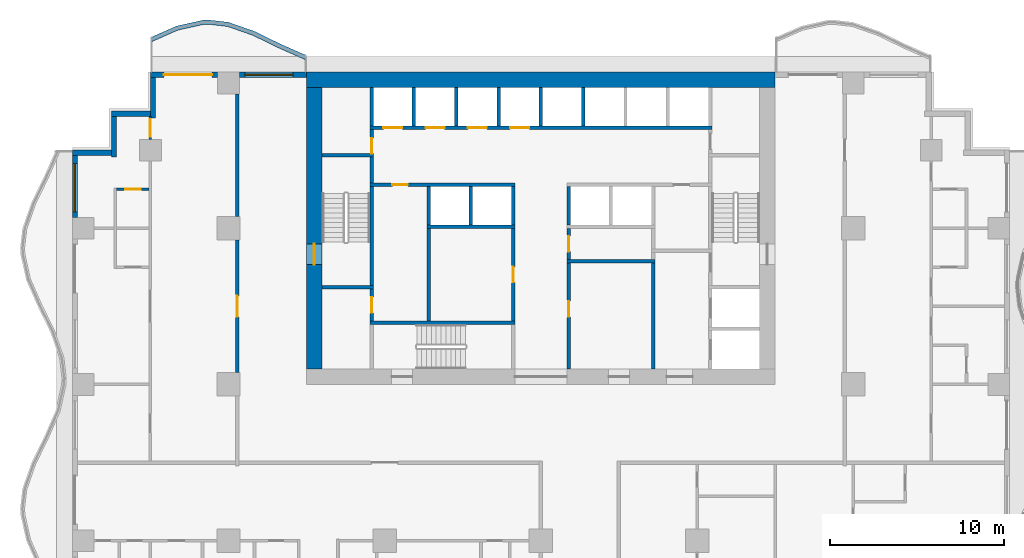
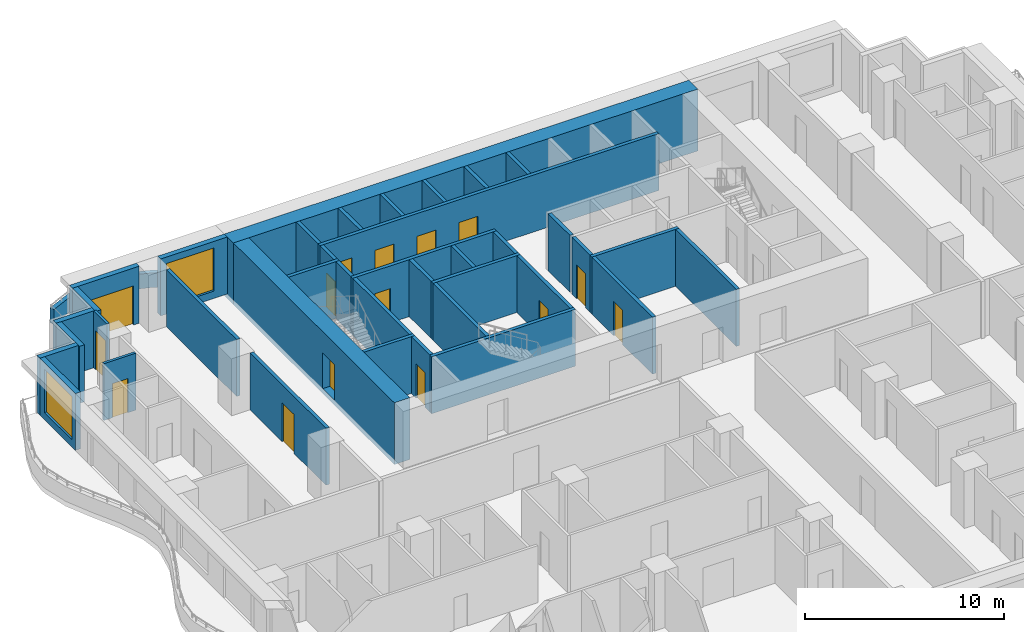
# One storey, part 5 of 14: 40 walls, 15 doors, 2 windows, 17 openings.
"""IFC4 building model written with IfcOpenShell, lengths in metres."""

from ifc_helpers import new_model, si_unit, direction, frame, frame_2d, origin, place, context, subcontext, project, spatial, polyline, rectangle, outline, extrude, material, layer, layer_set, type_object, element, fill, save


model = new_model("IFC4")

# Units and contexts
model_context = context("Model", 3, precision=1e-05, world=origin(), true_north=direction((0.0, 1.0)))
body_context = subcontext(model_context, "Body", "Model", "MODEL_VIEW")
ifc_project = project(units=[si_unit("LENGTHUNIT", "METRE"), si_unit("AREAUNIT", "SQUARE_METRE"), si_unit("VOLUMEUNIT", "CUBIC_METRE"), si_unit("PLANEANGLEUNIT", "RADIAN"), si_unit("MASSUNIT", "GRAM", prefix="KILO")], contexts=[model_context])

# Site, building, storey
site_placement = place(None, origin())
site = spatial("IfcSite", under=ifc_project, at=site_placement, CompositionType="ELEMENT")
building_placement = place(site_placement, origin())
building = spatial("IfcBuilding", under=site, at=building_placement, Name="Orbiselva Terraces", CompositionType="ELEMENT")
storey_placement = place(building_placement, frame((0.0, 0.0, 103.6)))
storey = spatial("IfcBuildingStorey", under=building, at=storey_placement, Name="L26", CompositionType="ELEMENT", Elevation=103.6)

# Wall, opening, door
ifc_material_1 = material(Name="Concrete C80/95", Category="concrete")
ifc_layer_1 = layer(ifc_material_1, 0.9)
ifc_layer_set_1 = layer_set([ifc_layer_1], Name="Concrete C80/95")
wall_type_1 = type_object("IfcWallType", Name="CORE WALL 900", PredefinedType="SHEAR", material=ifc_layer_set_1)
wall_1_placement = place(storey_placement, frame((-13.05, 21.6, -0.3), z_axis=(0.0, 0.0, 1.0), x_axis=(0.0, -1.0, 0.0)))
wall_1 = element("IfcWall", 1, at=wall_1_placement, inside=storey, type_object=wall_type_1, Name="Core wall L26 west", PredefinedType="SHEAR", context=body_context, shape_type="SweptSolid", body=[
    extrude(rectangle(XDim=16.2, YDim=0.9, at=frame_2d((8.1, 0.0))), origin(), (0.0, 0.0, 1.0), 3.8),
])
opening_1_placement = place(wall_1_placement, frame((9.0, 0.0, 0.3)))
opening_1 = element("IfcOpeningElement", 2, at=opening_1_placement, cuts=wall_1, Name="Opening DS1200", PredefinedType="OPENING", context=body_context, shape_type="SweptSolid", body=[
    extrude(rectangle(XDim=1.2, YDim=2.2, at=frame_2d((0.6, 1.1))), frame((0.0, 0.46, 0.0), z_axis=(0.0, -1.0, 0.0), x_axis=(1.0, 0.0, 0.0)), (0.0, 0.0, 1.0), 0.92),
])
ifc_material_2 = material(Name="Steel fire door", Category="steel")
door_type_1 = type_object("IfcDoorType", Name="STAIR DOOR 1200", OperationType="NOTDEFINED", PredefinedType="DOOR", material=ifc_material_2)
door_1_placement = place(opening_1_placement, frame((1.2, 0.0, 0.0), z_axis=(0.0, 0.0, 1.0), x_axis=(-1.0, 0.0, 0.0)))
door_1 = element("IfcDoor", 3, at=door_1_placement, inside=storey, type_object=door_type_1, Name="L26 EXIT STAIR S1 door", OperationType="SINGLE_SWING_RIGHT", OverallHeight=2.2, OverallWidth=1.2, PredefinedType="DOOR", context=body_context, shape_type="SweptSolid", body=[
    extrude(rectangle(XDim=1.2, YDim=2.2, at=frame_2d((0.6, 1.1))), frame((0.0, 0.025, 0.0), z_axis=(0.0, -1.0, 0.0), x_axis=(1.0, 0.0, 0.0)), (0.0, 0.0, 1.0), 0.05),
])
fill(opening_1, door_1)

# Wall
ifc_layer_2 = layer(ifc_material_1, 0.9)
ifc_layer_set_2 = layer_set([ifc_layer_2], Name="Concrete C80/95")
wall_type_2 = type_object("IfcWallType", Name="CORE WALL 900 EXTERNAL", PredefinedType="SHEAR", material=ifc_layer_set_2)
wall_2_placement = place(storey_placement, frame((13.5, 22.05, -0.3), z_axis=(0.0, 0.0, 1.0), x_axis=(-1.0, 0.0, 0.0)))
element("IfcWall", 4, at=wall_2_placement, inside=storey, type_object=wall_type_2, Name="Core wall L26 north", PredefinedType="SHEAR", context=body_context, shape_type="SweptSolid", body=[
    extrude(rectangle(XDim=27.0, YDim=0.9, at=frame_2d((13.5, 0.0))), origin(), (0.0, 0.0, 1.0), 3.8),
])

# Wall, opening, door
ifc_material_3 = material(Name="Masonry blockwork", Category="masonry")
ifc_layer_3 = layer(ifc_material_3, 0.2)
ifc_layer_set_3 = layer_set([ifc_layer_3], Name="Masonry blockwork")
wall_type_3 = type_object("IfcWallType", Name="CORE-WALL-PARTITION-200", PredefinedType="PARTITIONING", material=ifc_layer_set_3)
wall_3_placement = place(storey_placement, frame((-9.75, 8.15, 0.0), z_axis=(0.0, 0.0, 1.0), x_axis=(0.0, 1.0, 0.0)))
wall_3 = element("IfcWall", 5, at=wall_3_placement, inside=storey, type_object=wall_type_3, Name="L26 core wall 05", PredefinedType="PARTITIONING", context=body_context, shape_type="SweptSolid", body=[
    extrude(rectangle(XDim=1.85, YDim=0.2, at=frame_2d((0.925, 0.0))), origin(), (0.0, 0.0, 1.0), 3.5),
])
opening_2_placement = place(wall_3_placement, frame((0.475, 0.0, 0.0)))
opening_2 = element("IfcOpeningElement", 6, at=opening_2_placement, cuts=wall_3, Name="Opening DR900", PredefinedType="OPENING", context=body_context, shape_type="SweptSolid", body=[
    extrude(rectangle(XDim=0.9, YDim=2.1, at=frame_2d((0.45, 1.05))), frame((0.0, 0.11, 0.0), z_axis=(0.0, -1.0, 0.0), x_axis=(1.0, 0.0, 0.0)), (0.0, 0.0, 1.0), 0.22),
])
door_type_2 = type_object("IfcDoorType", Name="ROOM DOOR 900", OperationType="NOTDEFINED", PredefinedType="DOOR", material=ifc_material_2)
door_2_placement = place(opening_2_placement, origin())
door_2 = element("IfcDoor", 7, at=door_2_placement, inside=storey, type_object=door_type_2, Name="L26 STAFF WC door", OperationType="SINGLE_SWING_RIGHT", OverallHeight=2.1, OverallWidth=0.9, PredefinedType="DOOR", context=body_context, shape_type="SweptSolid", body=[
    extrude(rectangle(XDim=0.9, YDim=2.1, at=frame_2d((0.45, 1.05))), frame((0.0, 0.025, 0.0), z_axis=(0.0, -1.0, 0.0), x_axis=(1.0, 0.0, 0.0)), (0.0, 0.0, 1.0), 0.05),
])
fill(opening_2, door_2)

wall_4_placement = place(storey_placement, frame((-9.75, 17.8, 0.0), z_axis=(0.0, 0.0, 1.0), x_axis=(0.0, 1.0, 0.0)))
wall_4 = element("IfcWall", 8, at=wall_4_placement, inside=storey, type_object=wall_type_3, Name="L26 core wall 09", PredefinedType="PARTITIONING", context=body_context, shape_type="SweptSolid", body=[
    extrude(rectangle(XDim=1.4, YDim=0.2, at=frame_2d((0.7, 0.0))), origin(), (0.0, 0.0, 1.0), 3.5),
])
opening_3_placement = place(wall_4_placement, origin())
opening_3 = element("IfcOpeningElement", 9, at=opening_3_placement, cuts=wall_4, Name="Opening DR900", PredefinedType="OPENING", context=body_context, shape_type="SweptSolid", body=[
    extrude(rectangle(XDim=0.9, YDim=2.1, at=frame_2d((0.45, 1.05))), frame((0.0, 0.11, 0.0), z_axis=(0.0, -1.0, 0.0), x_axis=(1.0, 0.0, 0.0)), (0.0, 0.0, 1.0), 0.22),
])
door_3_placement = place(opening_3_placement, origin())
door_3 = element("IfcDoor", 10, at=door_3_placement, inside=storey, type_object=door_type_2, Name="L26 ELECTRICAL RISER ROOM door", OperationType="SINGLE_SWING_LEFT", OverallHeight=2.1, OverallWidth=0.9, PredefinedType="DOOR", context=body_context, shape_type="SweptSolid", body=[
    extrude(rectangle(XDim=0.9, YDim=2.1, at=frame_2d((0.45, 1.05))), frame((0.0, 0.025, 0.0), z_axis=(0.0, -1.0, 0.0), x_axis=(1.0, 0.0, 0.0)), (0.0, 0.0, 1.0), 0.05),
])
fill(opening_3, door_3)

# Wall
wall_5_placement = place(storey_placement, frame((-6.475, 8.15, 0.0), z_axis=(0.0, 0.0, 1.0), x_axis=(0.0, 1.0, 0.0)))
element("IfcWall", 11, at=wall_5_placement, inside=storey, type_object=wall_type_3, Name="L26 core wall 13", PredefinedType="PARTITIONING", context=body_context, shape_type="SweptSolid", body=[
    extrude(rectangle(XDim=5.35, YDim=0.2, at=frame_2d((2.675, 0.0))), origin(), (0.0, 0.0, 1.0), 3.5),
])

# Wall, opening, door
wall_6_placement = place(storey_placement, frame((1.6, 13.5, 0.0), z_axis=(0.0, 0.0, 1.0), x_axis=(0.0, -1.0, 0.0)))
wall_6 = element("IfcWall", 12, at=wall_6_placement, inside=storey, type_object=wall_type_3, Name="L26 core wall 25", PredefinedType="PARTITIONING", context=body_context, shape_type="SweptSolid", body=[
    extrude(rectangle(XDim=1.8, YDim=0.2, at=frame_2d((0.9, 0.0))), origin(), (0.0, 0.0, 1.0), 3.5),
])
opening_4_placement = place(wall_6_placement, frame((0.45, 0.0, 0.0)))
opening_4 = element("IfcOpeningElement", 13, at=opening_4_placement, cuts=wall_6, Name="Opening DR900", PredefinedType="OPENING", context=body_context, shape_type="SweptSolid", body=[
    extrude(rectangle(XDim=0.9, YDim=2.1, at=frame_2d((0.45, 1.05))), frame((0.0, 0.11, 0.0), z_axis=(0.0, -1.0, 0.0), x_axis=(1.0, 0.0, 0.0)), (0.0, 0.0, 1.0), 0.22),
])
door_4_placement = place(opening_4_placement, origin())
door_4 = element("IfcDoor", 14, at=door_4_placement, inside=storey, type_object=door_type_2, Name="L26 IT ROOM door", OperationType="SINGLE_SWING_LEFT", OverallHeight=2.1, OverallWidth=0.9, PredefinedType="DOOR", context=body_context, shape_type="SweptSolid", body=[
    extrude(rectangle(XDim=0.9, YDim=2.1, at=frame_2d((0.45, 1.05))), frame((0.0, 0.025, 0.0), z_axis=(0.0, -1.0, 0.0), x_axis=(1.0, 0.0, 0.0)), (0.0, 0.0, 1.0), 0.05),
])
fill(opening_4, door_4)

# Walls
ifc_material_4 = material(Name="Concrete C40/50", Category="concrete")
ifc_layer_4 = layer(ifc_material_4, 0.2)
ifc_layer_set_4 = layer_set([ifc_layer_4], Name="Concrete C40/50")
wall_type_4 = type_object("IfcWallType", Name="CORE-WALL-SHAFT-200", PredefinedType="PARTITIONING", material=ifc_layer_set_4)
for number, where, z_axis, x_axis, name in (
    (15, (-9.75, 19.4, 0.0), (0.0, 0.0, 1.0), (0.0, 1.0, 0.0), "L26 core wall 11"),
    (16, (-7.3125, 19.4, 0.0), (0.0, 0.0, 1.0), (0.0, 1.0, 0.0), "L26 core wall 12"),
    (17, (-6.475, 13.7, 0.0), (0.0, 0.0, 1.0), (0.0, 1.0, 0.0), "L26 core wall 15"),
    (18, (-4.875, 19.4, 0.0), (0.0, 0.0, 1.0), (0.0, 1.0, 0.0), "L26 core wall 16"),
    (19, (-4.0375, 13.7, 0.0), (0.0, 0.0, 1.0), (0.0, 1.0, 0.0), "L26 core wall 17"),
    (20, (-2.4375, 19.4, 0.0), (0.0, 0.0, 1.0), (0.0, 1.0, 0.0), "L26 core wall 18"),
    (21, (-1.6, 13.7, 0.0), (0.0, 0.0, 1.0), (0.0, 1.0, 0.0), "L26 core wall 21"),
    (22, (0.0, 19.4, 0.0), (0.0, 0.0, 1.0), (0.0, 1.0, 0.0), "L26 core wall 22"),
    (23, (1.6, 13.7, 0.0), (0.0, 0.0, 1.0), (0.0, 1.0, 0.0), "L26 core wall 27"),
    (24, (2.4375, 19.4, 0.0), (0.0, 0.0, 1.0), (0.0, 1.0, 0.0), "L26 core wall 29"),
):
    element("IfcWall", number, at=place(storey_placement, frame(where, z_axis=z_axis, x_axis=x_axis)), inside=storey, type_object=wall_type_4, Name=name, PredefinedType="PARTITIONING", context=body_context, shape_type="SweptSolid", body=[
        extrude(rectangle(XDim=2.2, YDim=0.2, at=frame_2d((1.1, 0.0))), origin(), (0.0, 0.0, 1.0), 3.5),
    ])
ifc_material_5 = material(Name="Concrete C60/75", Category="concrete")
ifc_layer_5 = layer(ifc_material_5, 0.2)
ifc_layer_set_5 = layer_set([ifc_layer_5], Name="Concrete C60/75")
wall_type_5 = type_object("IfcWallType", Name="CORE-WALL-SHEAR-200", PredefinedType="SHEAR", material=ifc_layer_set_5)
for number, where, z_axis, x_axis, name in (
    (25, (-12.6, 10.1, 0.0), (0.0, 0.0, 1.0), (1.0, 0.0, 0.0), "L26 core wall 01"),
    (26, (-12.6, 17.7, 0.0), (0.0, 0.0, 1.0), (1.0, 0.0, 0.0), "L26 core wall 02"),
):
    element("IfcWall", number, at=place(storey_placement, frame(where, z_axis=z_axis, x_axis=x_axis)), inside=storey, type_object=wall_type_5, Name=name, PredefinedType="SHEAR", context=body_context, shape_type="SweptSolid", body=[
        extrude(rectangle(XDim=2.95, YDim=0.2, at=frame_2d((1.475, 0.0))), origin(), (0.0, 0.0, 1.0), 3.5),
    ])
wall_7_placement = place(storey_placement, frame((-9.85, 8.05, 0.0), z_axis=(0.0, 0.0, 1.0), x_axis=(1.0, 0.0, 0.0)))
element("IfcWall", 27, at=wall_7_placement, inside=storey, type_object=wall_type_5, Name="L26 core wall 04", PredefinedType="SHEAR", context=body_context, shape_type="SweptSolid", body=[
    extrude(rectangle(XDim=8.35, YDim=0.2, at=frame_2d((4.175, 0.0))), origin(), (0.0, 0.0, 1.0), 3.5),
])
wall_8_placement = place(storey_placement, frame((-9.75, 10.2, 0.0), z_axis=(0.0, 0.0, 1.0), x_axis=(0.0, 1.0, 0.0)))
element("IfcWall", 28, at=wall_8_placement, inside=storey, type_object=wall_type_5, Name="L26 core wall 06", PredefinedType="SHEAR", context=body_context, shape_type="SweptSolid", body=[
    extrude(rectangle(XDim=5.7, YDim=0.2, at=frame_2d((2.85, 0.0))), origin(), (0.0, 0.0, 1.0), 3.5),
])

# Wall, opening, door
wall_9_placement = place(storey_placement, frame((-1.5, 16.0, 0.0), z_axis=(0.0, 0.0, 1.0), x_axis=(-1.0, 0.0, 0.0)))
wall_9 = element("IfcWall", 29, at=wall_9_placement, inside=storey, type_object=wall_type_5, Name="L26 core wall 07", PredefinedType="SHEAR", context=body_context, shape_type="SweptSolid", body=[
    extrude(rectangle(XDim=8.35, YDim=0.2, at=frame_2d((4.175, 0.0))), origin(), (0.0, 0.0, 1.0), 3.5),
])
opening_5_placement = place(wall_9_placement, frame((6.1625, 0.0, 0.0)))
opening_5 = element("IfcOpeningElement", 30, at=opening_5_placement, cuts=wall_9, Name="Opening DR900", PredefinedType="OPENING", context=body_context, shape_type="SweptSolid", body=[
    extrude(rectangle(XDim=0.9, YDim=2.1, at=frame_2d((0.45, 1.05))), frame((0.0, 0.11, 0.0), z_axis=(0.0, -1.0, 0.0), x_axis=(1.0, 0.0, 0.0)), (0.0, 0.0, 1.0), 0.22),
])
door_5_placement = place(opening_5_placement, origin())
door_5 = element("IfcDoor", 31, at=door_5_placement, inside=storey, type_object=door_type_2, Name="L26 STAFF PANTRY door", OperationType="SINGLE_SWING_RIGHT", OverallHeight=2.1, OverallWidth=0.9, PredefinedType="DOOR", context=body_context, shape_type="SweptSolid", body=[
    extrude(rectangle(XDim=0.9, YDim=2.1, at=frame_2d((0.45, 1.05))), frame((0.0, 0.025, 0.0), z_axis=(0.0, -1.0, 0.0), x_axis=(1.0, 0.0, 0.0)), (0.0, 0.0, 1.0), 0.05),
])
fill(opening_5, door_5)

# Wall
wall_10_placement = place(storey_placement, frame((-9.75, 16.1, 0.0), z_axis=(0.0, 0.0, 1.0), x_axis=(0.0, 1.0, 0.0)))
element("IfcWall", 32, at=wall_10_placement, inside=storey, type_object=wall_type_5, Name="L26 core wall 08", PredefinedType="SHEAR", context=body_context, shape_type="SweptSolid", body=[
    extrude(rectangle(XDim=1.5, YDim=0.2, at=frame_2d((0.75, 0.0))), origin(), (0.0, 0.0, 1.0), 3.5),
])

# Wall, openings, doors
wall_11_placement = place(storey_placement, frame((-9.85, 19.3, 0.0), z_axis=(0.0, 0.0, 1.0), x_axis=(1.0, 0.0, 0.0)))
wall_11 = element("IfcWall", 33, at=wall_11_placement, inside=storey, type_object=wall_type_5, Name="L26 core wall 10", PredefinedType="SHEAR", context=body_context, shape_type="SweptSolid", body=[
    extrude(rectangle(XDim=19.7, YDim=0.2, at=frame_2d((9.85, 0.0))), origin(), (0.0, 0.0, 1.0), 3.5),
])
opening_6_placement = place(wall_11_placement, frame((0.76875, 0.0, 0.0)))
opening_6 = element("IfcOpeningElement", 34, at=opening_6_placement, cuts=wall_11, Name="Opening LD-LR1", PredefinedType="OPENING", context=body_context, shape_type="SweptSolid", body=[
    extrude(rectangle(XDim=1.1, YDim=2.1, at=frame_2d((0.55, 1.05))), frame((0.0, 0.11, 0.0), z_axis=(0.0, -1.0, 0.0), x_axis=(1.0, 0.0, 0.0)), (0.0, 0.0, 1.0), 0.22),
])
opening_7_placement = place(wall_11_placement, frame((3.20625, 0.0, 0.0)))
opening_7 = element("IfcOpeningElement", 35, at=opening_7_placement, cuts=wall_11, Name="Opening LD-LR2", PredefinedType="OPENING", context=body_context, shape_type="SweptSolid", body=[
    extrude(rectangle(XDim=1.1, YDim=2.1, at=frame_2d((0.55, 1.05))), frame((0.0, 0.11, 0.0), z_axis=(0.0, -1.0, 0.0), x_axis=(1.0, 0.0, 0.0)), (0.0, 0.0, 1.0), 0.22),
])
opening_8_placement = place(wall_11_placement, frame((5.64375, 0.0, 0.0)))
opening_8 = element("IfcOpeningElement", 36, at=opening_8_placement, cuts=wall_11, Name="Opening LD-LR3", PredefinedType="OPENING", context=body_context, shape_type="SweptSolid", body=[
    extrude(rectangle(XDim=1.1, YDim=2.1, at=frame_2d((0.55, 1.05))), frame((0.0, 0.11, 0.0), z_axis=(0.0, -1.0, 0.0), x_axis=(1.0, 0.0, 0.0)), (0.0, 0.0, 1.0), 0.22),
])
opening_9_placement = place(wall_11_placement, frame((8.08125, 0.0, 0.0)))
opening_9 = element("IfcOpeningElement", 37, at=opening_9_placement, cuts=wall_11, Name="Opening LD-LR4", PredefinedType="OPENING", context=body_context, shape_type="SweptSolid", body=[
    extrude(rectangle(XDim=1.1, YDim=2.1, at=frame_2d((0.55, 1.05))), frame((0.0, 0.11, 0.0), z_axis=(0.0, -1.0, 0.0), x_axis=(1.0, 0.0, 0.0)), (0.0, 0.0, 1.0), 0.22),
])
ifc_material_6 = material(Name="Stainless steel landing door", Category="steel")
door_type_3 = type_object("IfcDoorType", Name="LANDING DOOR 1100", OperationType="SLIDING_TO_LEFT", PredefinedType="DOOR", material=ifc_material_6)
door_6_placement = place(opening_6_placement, origin())
door_6 = element("IfcDoor", 38, at=door_6_placement, inside=storey, type_object=door_type_3, Name="L26 landing door LR1", OperationType="SLIDING_TO_LEFT", OverallHeight=2.1, OverallWidth=1.1, PredefinedType="DOOR", context=body_context, shape_type="SweptSolid", body=[
    extrude(rectangle(XDim=1.1, YDim=2.1, at=frame_2d((0.55, 1.05))), frame((0.0, 0.025, 0.0), z_axis=(0.0, -1.0, 0.0), x_axis=(1.0, 0.0, 0.0)), (0.0, 0.0, 1.0), 0.05),
])
fill(opening_6, door_6)
door_7_placement = place(opening_7_placement, origin())
door_7 = element("IfcDoor", 39, at=door_7_placement, inside=storey, type_object=door_type_3, Name="L26 landing door LR2", OperationType="SLIDING_TO_LEFT", OverallHeight=2.1, OverallWidth=1.1, PredefinedType="DOOR", context=body_context, shape_type="SweptSolid", body=[
    extrude(rectangle(XDim=1.1, YDim=2.1, at=frame_2d((0.55, 1.05))), frame((0.0, 0.025, 0.0), z_axis=(0.0, -1.0, 0.0), x_axis=(1.0, 0.0, 0.0)), (0.0, 0.0, 1.0), 0.05),
])
fill(opening_7, door_7)
door_8_placement = place(opening_8_placement, origin())
door_8 = element("IfcDoor", 40, at=door_8_placement, inside=storey, type_object=door_type_3, Name="L26 landing door LR3", OperationType="SLIDING_TO_LEFT", OverallHeight=2.1, OverallWidth=1.1, PredefinedType="DOOR", context=body_context, shape_type="SweptSolid", body=[
    extrude(rectangle(XDim=1.1, YDim=2.1, at=frame_2d((0.55, 1.05))), frame((0.0, 0.025, 0.0), z_axis=(0.0, -1.0, 0.0), x_axis=(1.0, 0.0, 0.0)), (0.0, 0.0, 1.0), 0.05),
])
fill(opening_8, door_8)
door_9_placement = place(opening_9_placement, origin())
door_9 = element("IfcDoor", 41, at=door_9_placement, inside=storey, type_object=door_type_3, Name="L26 landing door LR4", OperationType="SLIDING_TO_LEFT", OverallHeight=2.1, OverallWidth=1.1, PredefinedType="DOOR", context=body_context, shape_type="SweptSolid", body=[
    extrude(rectangle(XDim=1.1, YDim=2.1, at=frame_2d((0.55, 1.05))), frame((0.0, 0.025, 0.0), z_axis=(0.0, -1.0, 0.0), x_axis=(1.0, 0.0, 0.0)), (0.0, 0.0, 1.0), 0.05),
])
fill(opening_9, door_9)

# Wall
wall_12_placement = place(storey_placement, frame((-6.575, 13.6, 0.0), z_axis=(0.0, 0.0, 1.0), x_axis=(1.0, 0.0, 0.0)))
element("IfcWall", 42, at=wall_12_placement, inside=storey, type_object=wall_type_5, Name="L26 core wall 14", PredefinedType="SHEAR", context=body_context, shape_type="SweptSolid", body=[
    extrude(rectangle(XDim=5.075, YDim=0.2, at=frame_2d((2.5375, 0.0))), origin(), (0.0, 0.0, 1.0), 3.5),
])

# Wall, opening, door
wall_13_placement = place(storey_placement, frame((-1.6, 8.15, 0.0), z_axis=(0.0, 0.0, 1.0), x_axis=(0.0, 1.0, 0.0)))
wall_13 = element("IfcWall", 43, at=wall_13_placement, inside=storey, type_object=wall_type_5, Name="L26 core wall 20", PredefinedType="SHEAR", context=body_context, shape_type="SweptSolid", body=[
    extrude(rectangle(XDim=5.35, YDim=0.2, at=frame_2d((2.675, 0.0))), origin(), (0.0, 0.0, 1.0), 3.5),
])
opening_10_placement = place(wall_13_placement, frame((2.225, 0.0, 0.0)))
opening_10 = element("IfcOpeningElement", 44, at=opening_10_placement, cuts=wall_13, Name="Opening DR900", PredefinedType="OPENING", context=body_context, shape_type="SweptSolid", body=[
    extrude(rectangle(XDim=0.9, YDim=2.1, at=frame_2d((0.45, 1.05))), frame((0.0, 0.11, 0.0), z_axis=(0.0, -1.0, 0.0), x_axis=(1.0, 0.0, 0.0)), (0.0, 0.0, 1.0), 0.22),
])
door_10_placement = place(opening_10_placement, origin())
door_10 = element("IfcDoor", 45, at=door_10_placement, inside=storey, type_object=door_type_2, Name="L26 HOUSEKEEPING STORE door", OperationType="SINGLE_SWING_RIGHT", OverallHeight=2.1, OverallWidth=0.9, PredefinedType="DOOR", context=body_context, shape_type="SweptSolid", body=[
    extrude(rectangle(XDim=0.9, YDim=2.1, at=frame_2d((0.45, 1.05))), frame((0.0, 0.025, 0.0), z_axis=(0.0, -1.0, 0.0), x_axis=(1.0, 0.0, 0.0)), (0.0, 0.0, 1.0), 0.05),
])
fill(opening_10, door_10)

wall_14_placement = place(storey_placement, frame((1.6, 11.5, 0.0), z_axis=(0.0, 0.0, 1.0), x_axis=(0.0, -1.0, 0.0)))
wall_14 = element("IfcWall", 46, at=wall_14_placement, inside=storey, type_object=wall_type_5, Name="L26 core wall 23", PredefinedType="SHEAR", context=body_context, shape_type="SweptSolid", body=[
    extrude(rectangle(XDim=6.1, YDim=0.2, at=frame_2d((3.05, 0.0))), origin(), (0.0, 0.0, 1.0), 3.5),
])
opening_11_placement = place(wall_14_placement, frame((2.2, 0.0, 0.0)))
opening_11 = element("IfcOpeningElement", 47, at=opening_11_placement, cuts=wall_14, Name="Opening DR900", PredefinedType="OPENING", context=body_context, shape_type="SweptSolid", body=[
    extrude(rectangle(XDim=0.9, YDim=2.1, at=frame_2d((0.45, 1.05))), frame((0.0, 0.11, 0.0), z_axis=(0.0, -1.0, 0.0), x_axis=(1.0, 0.0, 0.0)), (0.0, 0.0, 1.0), 0.22),
])
door_11_placement = place(opening_11_placement, origin())
door_11 = element("IfcDoor", 48, at=door_11_placement, inside=storey, type_object=door_type_2, Name="L26 SERVICE ROOM door", OperationType="SINGLE_SWING_LEFT", OverallHeight=2.1, OverallWidth=0.9, PredefinedType="DOOR", context=body_context, shape_type="SweptSolid", body=[
    extrude(rectangle(XDim=0.9, YDim=2.1, at=frame_2d((0.45, 1.05))), frame((0.0, 0.025, 0.0), z_axis=(0.0, -1.0, 0.0), x_axis=(1.0, 0.0, 0.0)), (0.0, 0.0, 1.0), 0.05),
])
fill(opening_11, door_11)

# Walls
wall_15_placement = place(storey_placement, frame((1.5, 11.6, 0.0), z_axis=(0.0, 0.0, 1.0), x_axis=(1.0, 0.0, 0.0)))
element("IfcWall", 49, at=wall_15_placement, inside=storey, type_object=wall_type_5, Name="L26 core wall 24", PredefinedType="SHEAR", context=body_context, shape_type="SweptSolid", body=[
    extrude(rectangle(XDim=5.075, YDim=0.2, at=frame_2d((2.5375, 0.0))), origin(), (0.0, 0.0, 1.0), 3.5),
])
wall_16_placement = place(storey_placement, frame((6.475, 5.4, 0.0), z_axis=(0.0, 0.0, 1.0), x_axis=(0.0, 1.0, 0.0)))
element("IfcWall", 50, at=wall_16_placement, inside=storey, type_object=wall_type_5, Name="L26 core wall 32", PredefinedType="SHEAR", context=body_context, shape_type="SweptSolid", body=[
    extrude(rectangle(XDim=6.1, YDim=0.2, at=frame_2d((3.05, 0.0))), origin(), (0.0, 0.0, 1.0), 3.5),
])
ifc_layer_6 = layer(ifc_material_4, 0.25)
ifc_layer_set_6 = layer_set([ifc_layer_6], Name="Concrete C40/50")
wall_type_6 = type_object("IfcWallType", Name="ENV-PLANTER-250x900", PredefinedType="USERDEFINED", material=ifc_layer_set_6)
wall_17_placement = place(storey_placement, origin())
element("IfcWall", 51, at=wall_17_placement, inside=storey, type_object=wall_type_6, Name="Balcony planter L26 NW", ObjectType="PLANTER", PredefinedType="USERDEFINED", context=body_context, shape_type="SweptSolid", body=[
    extrude(outline(polyline([(-13.5, 23.451472), (-15.0, 24.112279), (-16.5, 24.844789), (-18.0, 25.369208), (-19.125, 25.5), (-19.5, 25.485226), (-21.0, 25.148528), (-22.5, 24.487721), (-22.399212, 24.258938), (-20.921492, 24.90993), (-19.467435, 25.236315), (-19.134572, 25.249429), (-18.056371, 25.124078), (-16.59644, 24.613667), (-15.105286, 23.885477), (-13.600788, 23.222689), (-13.5, 23.451472)])), origin(), (0.0, 0.0, 1.0), 0.9),
])

# Wall, opening, window
ifc_material_7 = material(Name="Terracotta cladding on masonry backing", Category="masonry")
ifc_layer_7 = layer(ifc_material_7, 0.3)
ifc_layer_set_7 = layer_set([ifc_layer_7], Name="Terracotta cladding on masonry backing")
wall_type_7 = type_object("IfcWallType", Name="ENV-WALL-TERRACOTTA-300", PredefinedType="SOLIDWALL", material=ifc_layer_set_7)
wall_18_placement = place(storey_placement, frame((-17.375, 22.35, 0.0), z_axis=(0.0, 0.0, 1.0), x_axis=(1.0, 0.0, 0.0)))
wall_18 = element("IfcWall", 52, at=wall_18_placement, inside=storey, type_object=wall_type_7, Name="Facade wall L26 NW", PredefinedType="SOLIDWALL", context=body_context, shape_type="SweptSolid", body=[
    extrude(rectangle(XDim=3.875, YDim=0.3, at=frame_2d((1.9375, 0.0))), origin(), (0.0, 0.0, 1.0), 3.5),
])
opening_12_placement = place(wall_18_placement, frame((0.325, 0.0, 0.45)))
opening_12 = element("IfcOpeningElement", 53, at=opening_12_placement, cuts=wall_18, Name="Opening WN6", PredefinedType="OPENING", context=body_context, shape_type="SweptSolid", body=[
    extrude(rectangle(XDim=2.775, YDim=2.65, at=frame_2d((1.3875, 1.325))), frame((0.0, 0.16, 0.0), z_axis=(0.0, -1.0, 0.0), x_axis=(1.0, 0.0, 0.0)), (0.0, 0.0, 1.0), 0.32),
])
ifc_material_8 = material(Name="Clear low-e glazing in aluminium frame", Category="aluminium")
window_type = type_object("IfcWindowType", Name="WINDOW 2775 X 2650 S450", PartitioningType="TRIPLE_PANEL_VERTICAL", PredefinedType="WINDOW", material=ifc_material_8)
window_1_placement = place(opening_12_placement, origin())
window_1 = element("IfcWindow", 54, at=window_1_placement, inside=storey, type_object=window_type, Name="Window L26 NW", OverallHeight=2.65, OverallWidth=2.775, PartitioningType="SINGLE_PANEL", PredefinedType="WINDOW", context=body_context, shape_type="SweptSolid", body=[
    extrude(rectangle(XDim=2.775, YDim=2.65, at=frame_2d((1.3875, 1.325))), frame((0.0, 0.03, 0.0), z_axis=(0.0, -1.0, 0.0), x_axis=(1.0, 0.0, 0.0)), (0.0, 0.0, 1.0), 0.06),
])
fill(opening_12, window_1)

# Wall, opening, door
wall_19_placement = place(storey_placement, frame((-22.5, 22.35, 0.0), z_axis=(0.0, 0.0, 1.0), x_axis=(1.0, 0.0, 0.0)))
wall_19 = element("IfcWall", 55, at=wall_19_placement, inside=storey, type_object=wall_type_7, Name="Facade wall L26 NW", PredefinedType="SOLIDWALL", context=body_context, shape_type="SweptSolid", body=[
    extrude(rectangle(XDim=3.875, YDim=0.3, at=frame_2d((1.9375, 0.0))), origin(), (0.0, 0.0, 1.0), 3.5),
])
opening_13_placement = place(wall_19_placement, frame((0.775, 0.0, 0.0)))
opening_13 = element("IfcOpeningElement", 56, at=opening_13_placement, cuts=wall_19, Name="Opening Z2-D-E09", PredefinedType="OPENING", context=body_context, shape_type="SweptSolid", body=[
    extrude(rectangle(XDim=2.775, YDim=2.4, at=frame_2d((1.3875, 1.2))), frame((0.0, 0.16, 0.0), z_axis=(0.0, -1.0, 0.0), x_axis=(1.0, 0.0, 0.0)), (0.0, 0.0, 1.0), 0.32),
])
door_type_4 = type_object("IfcDoorType", Name="BALCONY DOOR 2775 X 2400", OperationType="DOUBLE_DOOR_SLIDING", PredefinedType="DOOR", material=ifc_material_8)
door_12_placement = place(opening_13_placement, origin())
door_12 = element("IfcDoor", 57, at=door_12_placement, inside=storey, type_object=door_type_4, Name="Z2-D-E09", OperationType="SINGLE_SWING_LEFT", OverallHeight=2.4, OverallWidth=2.775, PredefinedType="DOOR", context=body_context, shape_type="SweptSolid", body=[
    extrude(rectangle(XDim=2.775, YDim=2.4, at=frame_2d((1.3875, 1.2))), frame((0.0, 0.025, 0.0), z_axis=(0.0, -1.0, 0.0), x_axis=(1.0, 0.0, 0.0)), (0.0, 0.0, 1.0), 0.05),
])
fill(opening_13, door_12)

# Walls
wall_20_placement = place(storey_placement, frame((-22.35, 19.85, 0.0), z_axis=(0.0, 0.0, 1.0), x_axis=(0.0, 1.0, 0.0)))
element("IfcWall", 58, at=wall_20_placement, inside=storey, type_object=wall_type_7, Name="Facade wall L26 STEP", PredefinedType="SOLIDWALL", context=body_context, shape_type="SweptSolid", body=[
    extrude(rectangle(XDim=2.35, YDim=0.3, at=frame_2d((1.175, 0.0))), origin(), (0.0, 0.0, 1.0), 3.5),
])
wall_21_placement = place(storey_placement, frame((-24.75, 20.1, 0.0), z_axis=(0.0, 0.0, 1.0), x_axis=(1.0, 0.0, 0.0)))
element("IfcWall", 59, at=wall_21_placement, inside=storey, type_object=wall_type_7, Name="Facade wall L26 STEP", PredefinedType="SOLIDWALL", context=body_context, shape_type="SweptSolid", body=[
    extrude(rectangle(XDim=2.25, YDim=0.3, at=frame_2d((1.125, 0.0))), origin(), (0.0, 0.0, 1.0), 3.5),
])
wall_22_placement = place(storey_placement, frame((-24.6, 17.6, 0.0), z_axis=(0.0, 0.0, 1.0), x_axis=(0.0, 1.0, 0.0)))
element("IfcWall", 60, at=wall_22_placement, inside=storey, type_object=wall_type_7, Name="Facade wall L26 STEP", PredefinedType="SOLIDWALL", context=body_context, shape_type="SweptSolid", body=[
    extrude(rectangle(XDim=2.35, YDim=0.3, at=frame_2d((1.175, 0.0))), origin(), (0.0, 0.0, 1.0), 3.5),
])
wall_23_placement = place(storey_placement, frame((-27.0, 17.85, 0.0), z_axis=(0.0, 0.0, 1.0), x_axis=(1.0, 0.0, 0.0)))
element("IfcWall", 61, at=wall_23_placement, inside=storey, type_object=wall_type_7, Name="Facade wall L26 STEP", PredefinedType="SOLIDWALL", context=body_context, shape_type="SweptSolid", body=[
    extrude(rectangle(XDim=2.25, YDim=0.3, at=frame_2d((1.125, 0.0))), origin(), (0.0, 0.0, 1.0), 3.5),
])

# Wall, opening, window
wall_24_placement = place(storey_placement, frame((-26.85, 14.125, 0.0), z_axis=(0.0, 0.0, 1.0), x_axis=(0.0, 1.0, 0.0)))
wall_24 = element("IfcWall", 62, at=wall_24_placement, inside=storey, type_object=wall_type_7, Name="Facade wall L26 W", PredefinedType="SOLIDWALL", context=body_context, shape_type="SweptSolid", body=[
    extrude(rectangle(XDim=3.575, YDim=0.3, at=frame_2d((1.7875, 0.0))), origin(), (0.0, 0.0, 1.0), 3.5),
])
opening_14_placement = place(wall_24_placement, frame((0.325, 0.0, 0.45)))
opening_14 = element("IfcOpeningElement", 63, at=opening_14_placement, cuts=wall_24, Name="Opening WN6", PredefinedType="OPENING", context=body_context, shape_type="SweptSolid", body=[
    extrude(rectangle(XDim=2.775, YDim=2.65, at=frame_2d((1.3875, 1.325))), frame((0.0, 0.16, 0.0), z_axis=(0.0, -1.0, 0.0), x_axis=(1.0, 0.0, 0.0)), (0.0, 0.0, 1.0), 0.32),
])
window_2_placement = place(opening_14_placement, origin())
window_2 = element("IfcWindow", 64, at=window_2_placement, inside=storey, type_object=window_type, Name="Window L26 W", OverallHeight=2.65, OverallWidth=2.775, PartitioningType="SINGLE_PANEL", PredefinedType="WINDOW", context=body_context, shape_type="SweptSolid", body=[
    extrude(rectangle(XDim=2.775, YDim=2.65, at=frame_2d((1.3875, 1.325))), frame((0.0, 0.03, 0.0), z_axis=(0.0, -1.0, 0.0), x_axis=(1.0, 0.0, 0.0)), (0.0, 0.0, 1.0), 0.06),
])
fill(opening_14, window_2)

# Wall, opening, door
ifc_material_9 = material(Name="Plasterboard on steel stud partition", Category="steel")
ifc_layer_8 = layer(ifc_material_9, 0.2)
ifc_layer_set_8 = layer_set([ifc_layer_8], Name="Plasterboard on steel stud partition")
wall_type_8 = type_object("IfcWallType", Name="UNIT-ENTRANCE-WALL-200", PredefinedType="PARTITIONING", material=ifc_layer_set_8)
wall_25_placement = place(storey_placement, frame((-17.5, 5.175, 0.0), z_axis=(0.0, 0.0, 1.0), x_axis=(0.0, 1.0, 0.0)))
wall_25 = element("IfcWall", 65, at=wall_25_placement, inside=storey, type_object=wall_type_8, Name="PARTITION L26-056", PredefinedType="PARTITIONING", context=body_context, shape_type="SweptSolid", body=[
    extrude(rectangle(XDim=7.65, YDim=0.2, at=frame_2d((3.825, 0.0))), origin(), (0.0, 0.0, 1.0), 3.5),
])
opening_15_placement = place(wall_25_placement, frame((3.225, 0.0, 0.0)))
opening_15 = element("IfcOpeningElement", 66, at=opening_15_placement, cuts=wall_25, Name="Opening Z2-D-01", PredefinedType="OPENING", context=body_context, shape_type="SweptSolid", body=[
    extrude(rectangle(XDim=1.2, YDim=2.4, at=frame_2d((0.6, 1.2))), frame((0.0, 0.11, 0.0), z_axis=(0.0, -1.0, 0.0), x_axis=(1.0, 0.0, 0.0)), (0.0, 0.0, 1.0), 0.22),
])
ifc_material_10 = material(Name="Painted timber door leaf", Category="wood")
door_type_5 = type_object("IfcDoorType", Name="ENTRANCE DOOR 1200", OperationType="NOTDEFINED", PredefinedType="DOOR", material=ifc_material_10)
door_13_placement = place(opening_15_placement, origin())
door_13 = element("IfcDoor", 67, at=door_13_placement, inside=storey, type_object=door_type_5, Name="Z2-D-01", OperationType="SINGLE_SWING_RIGHT", OverallHeight=2.4, OverallWidth=1.2, PredefinedType="DOOR", context=body_context, shape_type="SweptSolid", body=[
    extrude(rectangle(XDim=1.2, YDim=2.4, at=frame_2d((0.6, 1.2))), frame((0.0, 0.025, 0.0), z_axis=(0.0, -1.0, 0.0), x_axis=(1.0, 0.0, 0.0)), (0.0, 0.0, 1.0), 0.05),
])
fill(opening_15, door_13)

# Wall
wall_26_placement = place(storey_placement, frame((-17.5, 14.175, 0.0), z_axis=(0.0, 0.0, 1.0), x_axis=(0.0, 1.0, 0.0)))
element("IfcWall", 68, at=wall_26_placement, inside=storey, type_object=wall_type_8, Name="PARTITION L26-057", PredefinedType="PARTITIONING", context=body_context, shape_type="SweptSolid", body=[
    extrude(rectangle(XDim=7.075, YDim=0.2, at=frame_2d((3.5375, 0.0))), origin(), (0.0, 0.0, 1.0), 3.5),
])

# Wall, opening, door
ifc_layer_9 = layer(ifc_material_9, 0.15)
ifc_layer_set_9 = layer_set([ifc_layer_9], Name="Plasterboard on steel stud partition")
wall_type_9 = type_object("IfcWallType", Name="UNIT-PARTITION-150", PredefinedType="PARTITIONING", material=ifc_layer_set_9)
wall_27_placement = place(storey_placement, frame((-22.575, 15.75, 0.0), z_axis=(0.0, 0.0, 1.0), x_axis=(-1.0, 0.0, 0.0)))
wall_27 = element("IfcWall", 69, at=wall_27_placement, inside=storey, type_object=wall_type_9, Name="PARTITION L26-043", PredefinedType="PARTITIONING", context=body_context, shape_type="SweptSolid", body=[
    extrude(rectangle(XDim=1.875, YDim=0.15, at=frame_2d((0.9375, 0.0))), origin(), (0.0, 0.0, 1.0), 3.5),
])
opening_16_placement = place(wall_27_placement, frame((0.475, 0.0, 0.0)))
opening_16 = element("IfcOpeningElement", 70, at=opening_16_placement, cuts=wall_27, Name="Opening Z2-D-06", PredefinedType="OPENING", context=body_context, shape_type="SweptSolid", body=[
    extrude(rectangle(XDim=0.9, YDim=2.1, at=frame_2d((0.45, 1.05))), frame((0.0, 0.085, 0.0), z_axis=(0.0, -1.0, 0.0), x_axis=(1.0, 0.0, 0.0)), (0.0, 0.0, 1.0), 0.17),
])
door_type_6 = type_object("IfcDoorType", Name="BATH DOOR 900", OperationType="NOTDEFINED", PredefinedType="DOOR", material=ifc_material_10)
door_14_placement = place(opening_16_placement, origin())
door_14 = element("IfcDoor", 71, at=door_14_placement, inside=storey, type_object=door_type_6, Name="Z2-D-06", OperationType="SINGLE_SWING_LEFT", OverallHeight=2.1, OverallWidth=0.9, PredefinedType="DOOR", context=body_context, shape_type="SweptSolid", body=[
    extrude(rectangle(XDim=0.9, YDim=2.1, at=frame_2d((0.45, 1.05))), frame((0.0, 0.025, 0.0), z_axis=(0.0, -1.0, 0.0), x_axis=(1.0, 0.0, 0.0)), (0.0, 0.0, 1.0), 0.05),
])
fill(opening_16, door_14)

wall_28_placement = place(storey_placement, frame((-22.5, 18.625, 0.0), z_axis=(0.0, 0.0, 1.0), x_axis=(0.0, 1.0, 0.0)))
wall_28 = element("IfcWall", 72, at=wall_28_placement, inside=storey, type_object=wall_type_9, Name="PARTITION L26-051", PredefinedType="PARTITIONING", context=body_context, shape_type="SweptSolid", body=[
    extrude(rectangle(XDim=1.325, YDim=0.15, at=frame_2d((0.6625, 0.0))), origin(), (0.0, 0.0, 1.0), 3.5),
])
opening_17_placement = place(wall_28_placement, frame((0.15, 0.0, 0.0)))
opening_17 = element("IfcOpeningElement", 73, at=opening_17_placement, cuts=wall_28, Name="Opening Z2-D-05", PredefinedType="OPENING", context=body_context, shape_type="SweptSolid", body=[
    extrude(rectangle(XDim=1.0, YDim=2.4, at=frame_2d((0.5, 1.2))), frame((0.0, 0.085, 0.0), z_axis=(0.0, -1.0, 0.0), x_axis=(1.0, 0.0, 0.0)), (0.0, 0.0, 1.0), 0.17),
])
door_type_7 = type_object("IfcDoorType", Name="ROOM DOOR 1000", OperationType="NOTDEFINED", PredefinedType="DOOR", material=ifc_material_10)
door_15_placement = place(opening_17_placement, origin())
door_15 = element("IfcDoor", 74, at=door_15_placement, inside=storey, type_object=door_type_7, Name="Z2-D-05", OperationType="SINGLE_SWING_LEFT", OverallHeight=2.4, OverallWidth=1.0, PredefinedType="DOOR", context=body_context, shape_type="SweptSolid", body=[
    extrude(rectangle(XDim=1.0, YDim=2.4, at=frame_2d((0.5, 1.2))), frame((0.0, 0.025, 0.0), z_axis=(0.0, -1.0, 0.0), x_axis=(1.0, 0.0, 0.0)), (0.0, 0.0, 1.0), 0.05),
])
fill(opening_17, door_15)

save(model, "model.ifc")
